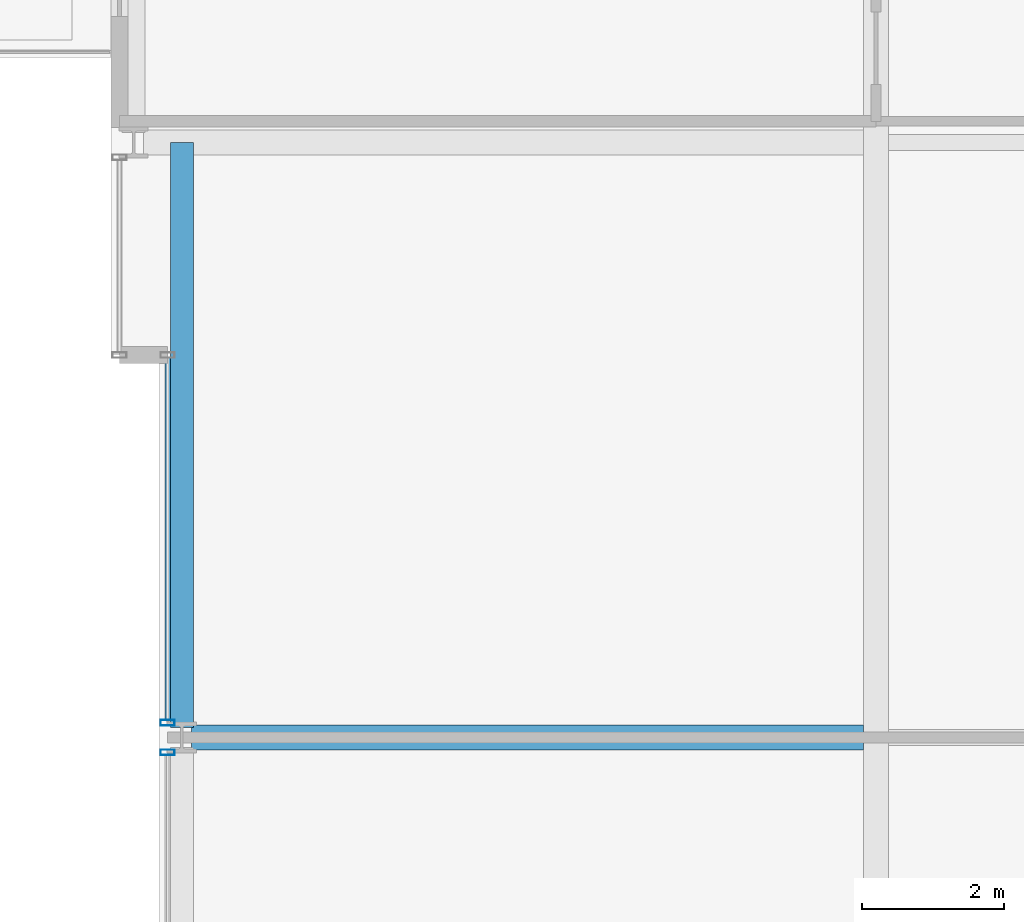
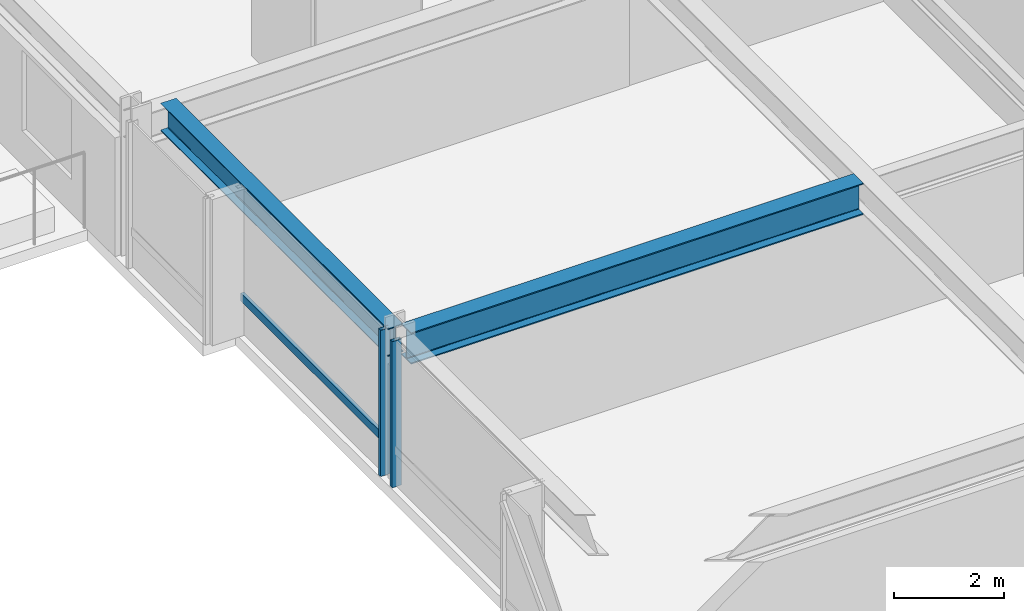
# One storey, part 9 of 34: 3 members, 2 beams, 2 elements without a shape of their own.
"""IFC4 building model written with IfcOpenShell, lengths in metres."""

import ifcopenshell
import ifcopenshell.guid

model = None  # the IFC model being written
_history = None  # IfcOwnerHistory: only IFC2X3 demands one
_inside = {}  # id of a spatial element -> (the spatial element, [elements in it])
_under = {}  # id of a project, library or spatial element -> (it, [spatial elements below it])
_declared = {}  # id of a project -> (the project, [libraries it declares])
_typed = {}  # id of a type object -> (the type object, [elements of that type])
_made_of = {}  # id of a material, layer set ... -> (it, [elements and type objects made of it])


def new_model(schema):
    """Start an empty IFC model of exactly this schema.

    Asked for "IFC4X3", IfcOpenShell would pick the latest addendum, in which some entities
    have other attributes; the version numbers below select the first issue.
    IFC2X3 requires an IfcOwnerHistory on every rooted entity: one is made here for all.
    """
    global model, _history
    if schema == "IFC4X3":
        model = ifcopenshell.file(schema_version=(4, 3, 0, 0))
    else:
        model = ifcopenshell.file(schema=schema)
    _inside.clear()
    _under.clear()
    _declared.clear()
    _typed.clear()
    _made_of.clear()
    _history = None
    if model.schema == "IFC2X3":
        org = make("IfcOrganization", Name="unknown")
        user = make(
            "IfcPersonAndOrganization",
            ThePerson=make("IfcPerson", FamilyName="unknown"),
            TheOrganization=org,
        )
        app = make(
            "IfcApplication",
            ApplicationDeveloper=org,
            Version="unknown",
            ApplicationFullName="unknown",
            ApplicationIdentifier="unknown",
        )
        _history = make(
            "IfcOwnerHistory",
            OwningUser=user,
            OwningApplication=app,
            ChangeAction="ADDED",
            CreationDate=0,
        )
    return model


def make(cls, **values):
    """One entity of the class cls with the attributes given. An attribute that is None is left unset."""
    return model.create_entity(
        cls, **{name: value for name, value in values.items() if value is not None}
    )


def rooted(cls, **values):
    """An entity with a GlobalId (a new one), such as an element, a storey or a relation."""
    return make(cls, GlobalId=ifcopenshell.guid.new(), OwnerHistory=_history, **values)


def si_unit(unit_type, name, prefix=None):
    """IfcSIUnit, for example si_unit("LENGTHUNIT", "METRE", prefix="MILLI")."""
    return make("IfcSIUnit", UnitType=unit_type, Prefix=prefix, Name=name)


def assignment(units):
    """IfcUnitAssignment: the units of a project."""
    return None if units is None else make("IfcUnitAssignment", Units=units)


def point(xyz):
    """IfcCartesianPoint."""
    return None if xyz is None else make("IfcCartesianPoint", Coordinates=xyz)


def direction(xyz):
    """IfcDirection."""
    return None if xyz is None else make("IfcDirection", DirectionRatios=xyz)


def frame(location, z_axis=None, x_axis=None):
    """IfcAxis2Placement3D, a coordinate frame: its origin and axes. An axis left out is left unset."""
    return make(
        "IfcAxis2Placement3D",
        Location=point(location),
        Axis=direction(z_axis),
        RefDirection=direction(x_axis),
    )


def frame_2d(location, x_axis=None):
    """IfcAxis2Placement2D, a coordinate frame in the plane: its origin and x axis."""
    return make(
        "IfcAxis2Placement2D", Location=point(location), RefDirection=direction(x_axis)
    )


def origin():
    """The frame at (0, 0, 0) with its axes left unset."""
    return frame((0.0, 0.0, 0.0))


def origin_2d():
    """The frame at (0, 0) in the plane with its x axis left unset."""
    return frame_2d((0.0, 0.0))


def place(relative_to, where):
    """IfcLocalPlacement: puts the frame where relative to a parent placement (None: the world)."""
    return make(
        "IfcLocalPlacement", PlacementRelTo=relative_to, RelativePlacement=where
    )


def context(
    kind, dimensions, precision=None, world=None, true_north=None, identifier=None
):
    """IfcGeometricRepresentationContext, for example the 3D "Model" context."""
    return make(
        "IfcGeometricRepresentationContext",
        ContextIdentifier=identifier,
        ContextType=kind,
        CoordinateSpaceDimension=dimensions,
        Precision=precision,
        WorldCoordinateSystem=world,
        TrueNorth=true_north,
    )


def subcontext(parent, identifier, kind, view, scale=None):
    """IfcGeometricRepresentationSubContext, for example "Body" below "Model"."""
    return make(
        "IfcGeometricRepresentationSubContext",
        ContextIdentifier=identifier,
        ContextType=kind,
        ParentContext=parent,
        TargetScale=scale,
        TargetView=view,
    )


def project(units=None, contexts=None):
    """IfcProject with its units and contexts."""
    return rooted(
        "IfcProject",
        Name="project",
        RepresentationContexts=contexts,
        UnitsInContext=assignment(units),
    )


def spatial(cls, under=None, at=None, **own):
    """A site, building, storey or space (cls), placed at a placement, below another one or the project."""
    s = rooted(cls, ObjectPlacement=at, **own)
    if under is not None:
        _under.setdefault(under.id(), (under, []))[1].append(s)
    return s


def profile(cls, at=None, kind="AREA", **sizes):
    """A parametric profile (cls). Its sizes go by their IFC names, for example OverallWidth=200.0."""
    return make(cls, ProfileType=kind, Position=at, **sizes)


def hollow_rectangle(**sizes):
    """IfcRectangleHollowProfileDef."""
    return profile("IfcRectangleHollowProfileDef", **sizes)


def i_section(**sizes):
    """IfcIShapeProfileDef."""
    return profile("IfcIShapeProfileDef", **sizes)


def extrude(swept, where, along, depth):
    """IfcExtrudedAreaSolid: the profile swept, set in the frame where, extruded along a direction by depth."""
    return make(
        "IfcExtrudedAreaSolid",
        SweptArea=swept,
        Position=where,
        ExtrudedDirection=direction(along),
        Depth=depth,
    )


def shape(context_of_items, identifier, shape_type, items):
    """IfcShapeRepresentation: the items that make up one representation, for example the "Body"."""
    return make(
        "IfcShapeRepresentation",
        ContextOfItems=context_of_items,
        RepresentationIdentifier=identifier,
        RepresentationType=shape_type,
        Items=items,
    )


def material(Name=None, Category=None):
    """IfcMaterial."""
    return make("IfcMaterial", Name=Name, Category=Category)


def layer(
    of_material, thickness, ventilated=None, Name=None, Category=None, Priority=None
):
    """IfcMaterialLayer: one layer of a wall or slab, of a material (None: an air gap)."""
    return make(
        "IfcMaterialLayer",
        Material=of_material,
        LayerThickness=thickness,
        IsVentilated=ventilated,
        Name=Name,
        Category=Category,
        Priority=Priority,
    )


def layer_set(layers, Name=None):
    """IfcMaterialLayerSet."""
    return make("IfcMaterialLayerSet", MaterialLayers=layers, LayerSetName=Name)


def material_profile(
    of_material, cross_section, Name=None, Category=None, Priority=None
):
    """IfcMaterialProfile: a cross section and its material."""
    return make(
        "IfcMaterialProfile",
        Name=Name,
        Material=of_material,
        Profile=cross_section,
        Priority=Priority,
        Category=Category,
    )


def profile_set(profiles, Name=None, composite=None):
    """IfcMaterialProfileSet."""
    return make(
        "IfcMaterialProfileSet",
        Name=Name,
        MaterialProfiles=profiles,
        CompositeProfile=composite,
    )


def made_of(thing, what):
    """Note that an element or type object is made of a material, layer set ...; save() writes the relation."""
    if what is not None:
        _made_of.setdefault(what.id(), (what, []))[1].append(thing)
    return thing


def type_object(cls, material=None, **own):
    """A type object (cls), such as IfcWallType, which elements share."""
    return made_of(rooted(cls, **own), material)


def element(
    cls,
    number,
    at=None,
    inside=None,
    cuts=None,
    type_object=None,
    material=None,
    context=None,
    identifier="Body",
    shape_type=None,
    held_by="IfcProductDefinitionShape",
    body=None,
    shapes=None,
    **own,
):
    """One element of the class cls, such as IfcWall. Its Tag is "e" and its number.

    at: its placement. inside: the storey or other place that contains it. cuts: it is an
    opening in that element (IfcRelVoidsElement). A single representation is given by context,
    identifier, shape_type and body (its items); several are given by shapes. held_by: the class
    of the entity that holds the representations. save() writes the other relations.
    """
    e = rooted(cls, Tag="e%d" % number, ObjectPlacement=at, **own)
    if body is not None:
        shapes = [shape(context, identifier, shape_type, body)]
    if shapes is not None:
        e.Representation = make(held_by, Representations=shapes)
    if inside is not None:
        _inside.setdefault(inside.id(), (inside, []))[1].append(e)
    if cuts is not None:
        rooted(
            "IfcRelVoidsElement", RelatingBuildingElement=cuts, RelatedOpeningElement=e
        )
    if type_object is not None:
        _typed.setdefault(type_object.id(), (type_object, []))[1].append(e)
    return made_of(e, material)


def aggregate(whole, parts):
    """IfcRelAggregates: a whole, such as a stair, and the parts it consists of."""
    return rooted("IfcRelAggregates", RelatingObject=whole, RelatedObjects=parts)


def save(model, path):
    """Write the relations noted so far, then the file.

    IfcRelAggregates (storeys below a building ...), IfcRelContainedInSpatialStructure (elements
    in a storey), IfcRelDefinesByType, IfcRelAssociatesMaterial and IfcRelDeclares: one each for
    every whole, place, type object, material and project.
    """
    for whole, parts in _under.values():
        aggregate(whole, parts)
    for where, things in _inside.values():
        rooted(
            "IfcRelContainedInSpatialStructure",
            RelatedElements=things,
            RelatingStructure=where,
        )
    for kind, things in _typed.values():
        rooted("IfcRelDefinesByType", RelatedObjects=things, RelatingType=kind)
    for what, things in _made_of.values():
        rooted("IfcRelAssociatesMaterial", RelatedObjects=things, RelatingMaterial=what)
    for by, libraries in _declared.values():
        rooted("IfcRelDeclares", RelatingContext=by, RelatedDefinitions=libraries)
    model.write(path)


model = new_model("IFC4")

# Units and contexts
model_context = context("Model", 3, precision=1e-05, world=origin(), true_north=direction((0.0, 1.0)))
body_context = subcontext(model_context, "Body", "Model", "MODEL_VIEW")
ifc_project = project(units=[si_unit("LENGTHUNIT", "METRE"), si_unit("AREAUNIT", "SQUARE_METRE"), si_unit("VOLUMEUNIT", "CUBIC_METRE"), si_unit("PLANEANGLEUNIT", "RADIAN"), si_unit("MASSUNIT", "GRAM", prefix="KILO")], contexts=[model_context])

# Site, building, storey
site_placement = place(None, origin())
site = spatial("IfcSite", under=ifc_project, at=site_placement, CompositionType="ELEMENT")
building_placement = place(site_placement, origin())
building = spatial("IfcBuilding", under=site, at=building_placement, Name="Drelvath Grand Hotel", CompositionType="ELEMENT")
storey_placement = place(building_placement, frame((0.0, 0.0, 126.800048828125)))
storey = spatial("IfcBuildingStorey", under=building, at=storey_placement, Name="L32", CompositionType="ELEMENT", Elevation=126.800048828125)

# Curtain wall, member
ifc_material_1 = material(Name="Champagne Bronze Anodised Aluminium Frame", Category="aluminium")
ifc_layer = layer(ifc_material_1, 0.199951171875)
ifc_layer_set = layer_set([ifc_layer], Name="Champagne Bronze Anodised Aluminium Frame")
curtain_wall_type = type_object("IfcCurtainWallType", Name="Stick Curtain Wall CW-03 Champagne Bronze Mid-Rise", PredefinedType="NOTDEFINED", material=ifc_layer_set)
curtain_wall_1_placement = place(storey_placement, origin())
curtain_wall_1 = element("IfcCurtainWall", 1, at=curtain_wall_1_placement, inside=storey, type_object=curtain_wall_type, Name="L32 CW-03 Curtain Wall CW03-L32-WM2", PredefinedType="NOTDEFINED")
ifc_material_profile_1 = material_profile(ifc_material_1, hollow_rectangle(XDim=0.074951171875, YDim=0.179931640625, WallThickness=0.0048828125, at=origin_2d()), Name="HSS180X75X5")
ifc_profile_set_1 = profile_set([ifc_material_profile_1], Name="Champagne Bronze Anodised Aluminium Frame")
member_type_1 = type_object("IfcMemberType", Name="Curtain Wall Horizontal Transom CW-03 HSS180X75X5", PredefinedType="USERDEFINED", material=ifc_profile_set_1)
member_1_placement = place(storey_placement, frame((-26.199951171875, 27.24951171875, 0.81005859375), z_axis=(0.0, 1.0, 0.0), x_axis=(-1.0, 0.0, 0.0)))
member_1 = element("IfcMember", 2, at=member_1_placement, type_object=member_type_1, Name="CW03-L32-WM2 Sill Transom", ObjectType="TRANSOM", PredefinedType="USERDEFINED", context=body_context, shape_type="SweptSolid", body=[
    extrude(hollow_rectangle(XDim=0.074951171875, YDim=0.179931640625, WallThickness=0.0048828125, at=origin_2d()), origin(), (0.0, 0.0, 1.0), 5.110595703125),
])

curtain_wall_2_placement = place(storey_placement, origin())
curtain_wall_2 = element("IfcCurtainWall", 3, at=curtain_wall_2_placement, inside=storey, type_object=curtain_wall_type, Name="L32 CW-03 Curtain Wall CW03-L32-WM1", PredefinedType="NOTDEFINED")
ifc_material_profile_2 = material_profile(ifc_material_1, hollow_rectangle(XDim=0.080078125, YDim=0.199951171875, WallThickness=0.0048828125, at=origin_2d()), Name="HSS200X80X5")
ifc_profile_set_2 = profile_set([ifc_material_profile_2], Name="Champagne Bronze Anodised Aluminium Frame")
member_type_2 = type_object("IfcMemberType", Name="Curtain Wall Vertical Mullion CW-03 HSS200X80X5", PredefinedType="MULLION", material=ifc_profile_set_2)
member_2_placement = place(storey_placement, frame((-26.199951171875, 26.79052734375, 0.0), z_axis=(0.0, 0.0, 1.0), x_axis=(0.0, 1.0, 0.0)))
member_2 = element("IfcMember", 4, at=member_2_placement, type_object=member_type_2, Name="CW03-L32-WM1 Mullion 2", PredefinedType="MULLION", context=body_context, shape_type="SweptSolid", body=[
    extrude(hollow_rectangle(XDim=0.080078125, YDim=0.199951171875, WallThickness=0.0048828125, at=origin_2d()), origin(), (0.0, 0.0, 1.0), 3.239990234375),
])
aggregate(curtain_wall_2, [member_2])

# Member
member_3_placement = place(storey_placement, frame((-26.199951171875, 27.20947265625, 0.0), z_axis=(0.0, 0.0, 1.0), x_axis=(0.0, 1.0, 0.0)))
member_3 = element("IfcMember", 5, at=member_3_placement, type_object=member_type_2, Name="CW03-L32-WM2 Mullion 1", PredefinedType="MULLION", context=body_context, shape_type="SweptSolid", body=[
    extrude(hollow_rectangle(XDim=0.080078125, YDim=0.199951171875, WallThickness=0.0048828125, at=origin_2d()), origin(), (0.0, 0.0, 1.0), 3.239990234375),
])

aggregate(curtain_wall_1, [member_3, member_1])

# Beams
ifc_material_2 = material(Name="Steel ASTM A992 Gr 50", Category="steel")
ifc_material_profile_3 = material_profile(ifc_material_2, i_section(OverallWidth=0.323974609375, OverallDepth=0.611083984375, WebThickness=0.0126953125, FlangeThickness=0.01904296875, FilletRadius=0.02197265625, at=origin_2d()), Name="W24X104")
ifc_profile_set_3 = profile_set([ifc_material_profile_3], Name="Steel ASTM A992 Gr 50")
beam_type_1 = type_object("IfcBeamType", Name="Perimeter Spandrel Beam W24X104", PredefinedType="SPANDREL", material=ifc_profile_set_3)
beam_1_placement = place(storey_placement, frame((-26.0, 27.139892578125, 2.934326171875), z_axis=(0.0, 1.0, 0.0), x_axis=(-1.0, 0.0, 0.0)))
element("IfcBeam", 6, at=beam_1_placement, inside=storey, type_object=beam_type_1, Name="L32 Spandrel West Mid N", PredefinedType="SPANDREL", context=body_context, shape_type="SweptSolid", body=[
    extrude(i_section(OverallWidth=0.323974609375, OverallDepth=0.611083984375, WebThickness=0.0126953125, FlangeThickness=0.01904296875, FilletRadius=0.02197265625, at=origin_2d()), origin(), (0.0, 0.0, 1.0), 8.260009765625),
])
ifc_material_profile_4 = material_profile(ifc_material_2, i_section(OverallWidth=0.354736328125, OverallDepth=0.695556640625, WebThickness=0.015380859375, FlangeThickness=0.025146484375, FilletRadius=0.02392578125, at=origin_2d()), Name="W27X146")
ifc_profile_set_4 = profile_set([ifc_material_profile_4], Name="Steel ASTM A992 Gr 50")
beam_type_2 = type_object("IfcBeamType", Name="Primary Floor Girder W27X146", PredefinedType="BEAM", material=ifc_profile_set_4)
beam_2_placement = place(storey_placement, frame((-25.860107421875, 27.0, 2.892333984375), z_axis=(1.0, 0.0, 0.0), x_axis=(0.0, 1.0, 0.0)))
element("IfcBeam", 7, at=beam_2_placement, inside=storey, type_object=beam_type_2, Name="L32 West Wing Girder E", PredefinedType="BEAM", context=body_context, shape_type="SweptSolid", body=[
    extrude(i_section(OverallWidth=0.354736328125, OverallDepth=0.695556640625, WebThickness=0.015380859375, FlangeThickness=0.025146484375, FilletRadius=0.02392578125, at=origin_2d()), origin(), (0.0, 0.0, 1.0), 9.482666015625),
])

save(model, "model.ifc")
